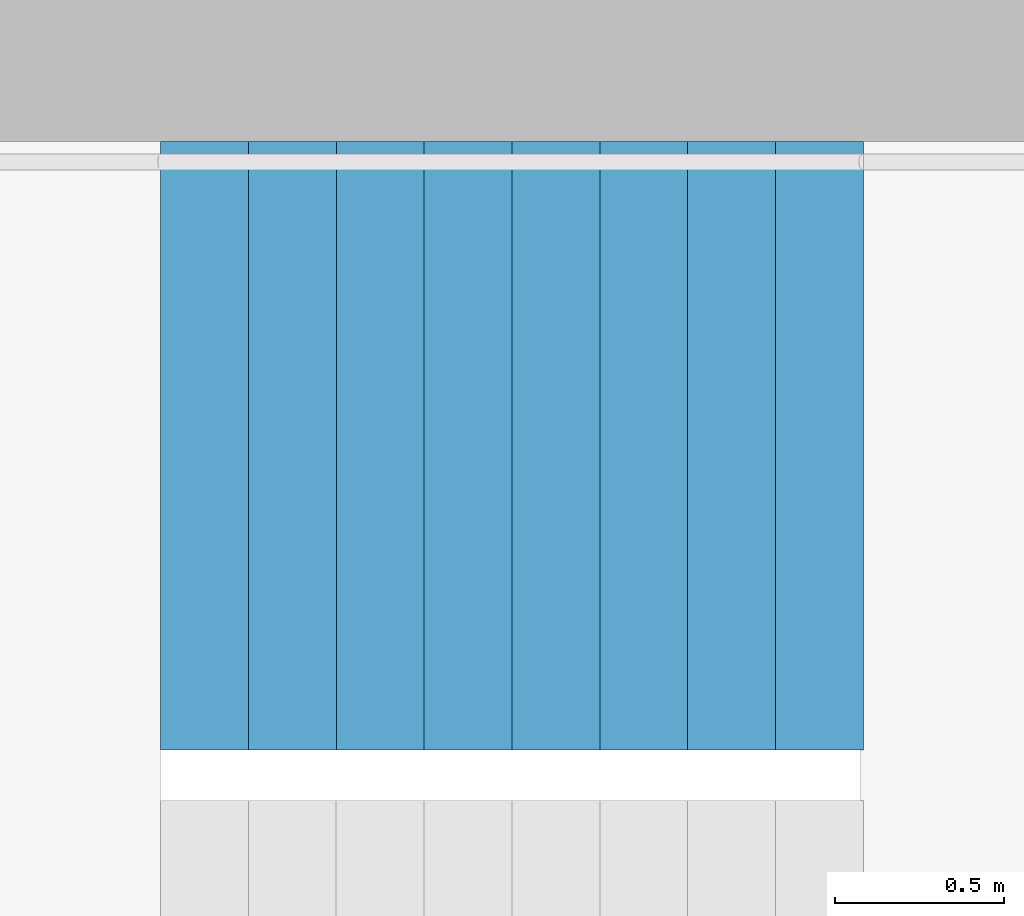
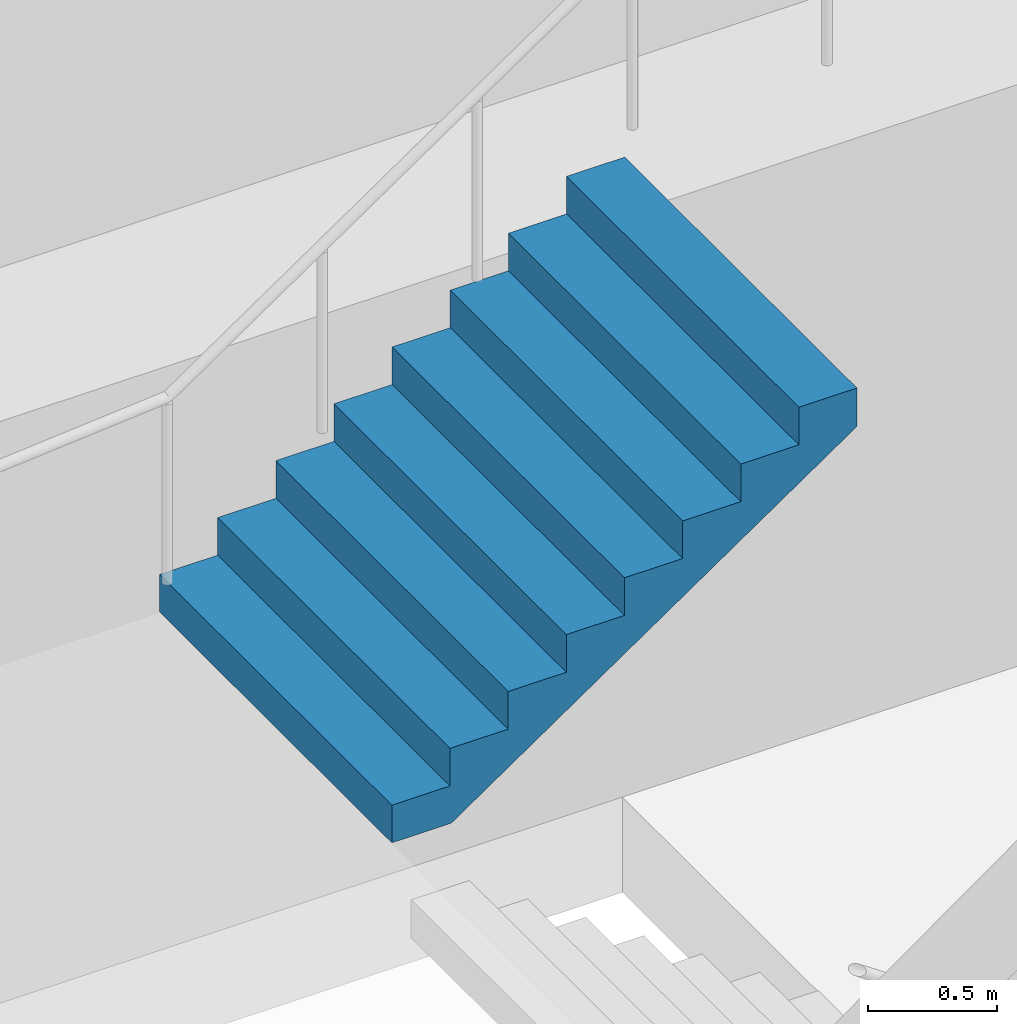
# One storey, part 26 of 27: 1 stair flight, 1 element without a shape of its own.
"""IFC4 building model written with IfcOpenShell, lengths in metres."""

from ifc_helpers import new_model, si_unit, direction, frame, origin, place, context, subcontext, project, spatial, triangles, material, type_object, element, aggregate, save


model = new_model("IFC4")

# Units and contexts
model_context = context("Model", 3, precision=1e-05, world=origin(), true_north=direction((0.0, 1.0)))
body_context = subcontext(model_context, "Body", "Model", "MODEL_VIEW")
ifc_project = project(units=[si_unit("LENGTHUNIT", "METRE"), si_unit("AREAUNIT", "SQUARE_METRE"), si_unit("VOLUMEUNIT", "CUBIC_METRE"), si_unit("PLANEANGLEUNIT", "RADIAN"), si_unit("MASSUNIT", "GRAM", prefix="KILO")], contexts=[model_context])

# Site, building, storey
site_placement = place(None, origin())
site = spatial("IfcSite", under=ifc_project, at=site_placement, CompositionType="ELEMENT")
building_placement = place(site_placement, origin())
building = spatial("IfcBuilding", under=site, at=building_placement, Name="Hakoniwa Tower and Hamabe Station Hall", CompositionType="ELEMENT")
storey_placement = place(building_placement, frame((0.0, 0.0, 248.60009765625)))
storey = spatial("IfcBuildingStorey", under=building, at=storey_placement, Name="L70", CompositionType="ELEMENT", Elevation=248.60009765625)

# Stair, stair flight
ifc_material_1 = material(Name="Concrete C40", Category="concrete")
stair_type = type_object("IfcStairType", Name="ESCAPE STAIR 1800", PredefinedType="HALF_TURN_STAIR", material=ifc_material_1)
stair_placement = place(storey_placement, origin())
stair = element("IfcStair", 1, at=stair_placement, inside=storey, type_object=stair_type, Name="Escape stair ST-3 L70", PredefinedType="HALF_TURN_STAIR")
ifc_material_2 = material(Name="Concrete C40", Category="concrete")
stair_flight_type = type_object("IfcStairFlightType", Name="STAIR FLIGHT 1800", PredefinedType="STRAIGHT", material=ifc_material_2)
stair_flight_placement = place(storey_placement, frame((22.320068359375, 6.60009765625, 1.599853515625), z_axis=(0.0, 0.0, 1.0), x_axis=(1.0, 0.0, 0.0)))
stair_flight = element("IfcStairFlight", 2, at=stair_flight_placement, type_object=stair_flight_type, Name="ST-3 flight 2", NumberOfRisers=9, NumberOfTreads=8, PredefinedType="STRAIGHT", RiserHeight=0.177777778, TreadLength=0.26, context=body_context, shape_type="Tessellation", body=[
    triangles([(0.0, 0.89990234375, 0.0), (0.260009765625, 0.89990234375, 0.0), (0.265625, 0.89990234375, 0.0), (0.52001953125, 0.89990234375, 0.174072265625), (0.780029296875, 0.89990234375, 0.351806640625), (1.0400390625, 0.89990234375, 0.529541015625), (1.300048828125, 0.89990234375, 0.707275390625), (1.56005859375, 0.89990234375, 0.885009765625), (1.820068359375, 0.89990234375, 1.062744140625), (2.080078125, 0.89990234375, 1.24072265625), (2.080078125, 0.89990234375, 1.422119140625), (1.820068359375, 0.89990234375, 1.422119140625), (1.820068359375, 0.89990234375, 1.244384765625), (1.56005859375, 0.89990234375, 1.244384765625), (1.56005859375, 0.89990234375, 1.066650390625), (1.300048828125, 0.89990234375, 1.066650390625), (1.300048828125, 0.89990234375, 0.888916015625), (1.0400390625, 0.89990234375, 0.888916015625), (1.0400390625, 0.89990234375, 0.711181640625), (0.780029296875, 0.89990234375, 0.711181640625), (0.780029296875, 0.89990234375, 0.533447265625), (0.52001953125, 0.89990234375, 0.533447265625), (0.52001953125, 0.89990234375, 0.35546875), (0.265625, 0.89990234375, 0.35546875), (0.260009765625, 0.89990234375, 0.35546875), (0.260009765625, 0.89990234375, 0.177734375), (0.0, 0.89990234375, 0.177734375), (0.0, 0.06005859375, 0.0), (0.260009765625, 0.06005859375, 0.0), (0.265625, 0.06005859375, 0.0), (0.52001953125, 0.06005859375, 0.174072265625), (0.780029296875, 0.06005859375, 0.351806640625), (1.0400390625, 0.06005859375, 0.529541015625), (1.300048828125, 0.06005859375, 0.707275390625), (1.56005859375, 0.06005859375, 0.885009765625), (1.820068359375, 0.06005859375, 1.062744140625), (2.080078125, 0.06005859375, 1.24072265625), (2.080078125, 0.06005859375, 1.422119140625), (1.820068359375, 0.06005859375, 1.422119140625), (1.820068359375, 0.06005859375, 1.244384765625), (1.56005859375, 0.06005859375, 1.244384765625), (1.56005859375, 0.06005859375, 1.066650390625), (1.300048828125, 0.06005859375, 1.066650390625), (1.300048828125, 0.06005859375, 0.888916015625), (1.0400390625, 0.06005859375, 0.888916015625), (1.0400390625, 0.06005859375, 0.711181640625), (0.780029296875, 0.06005859375, 0.711181640625), (0.780029296875, 0.06005859375, 0.533447265625), (0.52001953125, 0.06005859375, 0.533447265625), (0.52001953125, 0.06005859375, 0.35546875), (0.265625, 0.06005859375, 0.35546875), (0.260009765625, 0.06005859375, 0.35546875), (0.260009765625, 0.06005859375, 0.177734375), (0.0, 0.06005859375, 0.177734375), (0.0, 0.04296875, 0.0), (0.260009765625, 0.04296875, 0.0), (0.265625, 0.04296875, 0.0), (0.52001953125, 0.04296875, 0.174072265625), (0.780029296875, 0.04296875, 0.351806640625), (1.0400390625, 0.04296875, 0.529541015625), (1.300048828125, 0.04296875, 0.707275390625), (1.56005859375, 0.04296875, 0.885009765625), (1.820068359375, 0.04296875, 1.062744140625), (2.080078125, 0.04296875, 1.24072265625), (2.080078125, 0.04296875, 1.422119140625), (1.820068359375, 0.04296875, 1.422119140625), (1.820068359375, 0.04296875, 1.244384765625), (1.56005859375, 0.04296875, 1.244384765625), (1.56005859375, 0.04296875, 1.066650390625), (1.300048828125, 0.04296875, 1.066650390625), (1.300048828125, 0.04296875, 0.888916015625), (1.0400390625, 0.04296875, 0.888916015625), (1.0400390625, 0.04296875, 0.711181640625), (0.780029296875, 0.04296875, 0.711181640625), (0.780029296875, 0.04296875, 0.533447265625), (0.52001953125, 0.04296875, 0.533447265625), (0.52001953125, 0.04296875, 0.35546875), (0.265625, 0.04296875, 0.35546875), (0.260009765625, 0.04296875, 0.35546875), (0.260009765625, 0.04296875, 0.177734375), (0.0, 0.04296875, 0.177734375), (0.0, 0.025634765625, 0.0), (0.260009765625, 0.025634765625, 0.0), (0.265625, 0.025634765625, 0.0), (0.52001953125, 0.025634765625, 0.174072265625), (0.780029296875, 0.025634765625, 0.351806640625), (1.0400390625, 0.025634765625, 0.529541015625), (1.300048828125, 0.025634765625, 0.707275390625), (1.56005859375, 0.025634765625, 0.885009765625), (1.820068359375, 0.025634765625, 1.062744140625), (2.080078125, 0.025634765625, 1.24072265625), (2.080078125, 0.025634765625, 1.422119140625), (1.820068359375, 0.025634765625, 1.422119140625), (1.820068359375, 0.025634765625, 1.244384765625), (1.56005859375, 0.025634765625, 1.244384765625), (1.56005859375, 0.025634765625, 1.066650390625), (1.300048828125, 0.025634765625, 1.066650390625), (1.300048828125, 0.025634765625, 0.888916015625), (1.0400390625, 0.025634765625, 0.888916015625), (1.0400390625, 0.025634765625, 0.711181640625), (0.780029296875, 0.025634765625, 0.711181640625), (0.780029296875, 0.025634765625, 0.533447265625), (0.52001953125, 0.025634765625, 0.533447265625), (0.52001953125, 0.025634765625, 0.35546875), (0.265625, 0.025634765625, 0.35546875), (0.260009765625, 0.025634765625, 0.35546875), (0.260009765625, 0.025634765625, 0.177734375), (0.0, 0.025634765625, 0.177734375), (0.0, 0.008544921875, 0.0), (0.260009765625, 0.008544921875, 0.0), (0.265625, 0.008544921875, 0.0), (0.52001953125, 0.008544921875, 0.174072265625), (0.780029296875, 0.008544921875, 0.351806640625), (1.0400390625, 0.008544921875, 0.529541015625), (1.300048828125, 0.008544921875, 0.707275390625), (1.56005859375, 0.008544921875, 0.885009765625), (1.820068359375, 0.008544921875, 1.062744140625), (2.080078125, 0.008544921875, 1.24072265625), (2.080078125, 0.008544921875, 1.422119140625), (1.820068359375, 0.008544921875, 1.422119140625), (1.820068359375, 0.008544921875, 1.244384765625), (1.56005859375, 0.008544921875, 1.244384765625), (1.56005859375, 0.008544921875, 1.066650390625), (1.300048828125, 0.008544921875, 1.066650390625), (1.300048828125, 0.008544921875, 0.888916015625), (1.0400390625, 0.008544921875, 0.888916015625), (1.0400390625, 0.008544921875, 0.711181640625), (0.780029296875, 0.008544921875, 0.711181640625), (0.780029296875, 0.008544921875, 0.533447265625), (0.52001953125, 0.008544921875, 0.533447265625), (0.52001953125, 0.008544921875, 0.35546875), (0.265625, 0.008544921875, 0.35546875), (0.260009765625, 0.008544921875, 0.35546875), (0.260009765625, 0.008544921875, 0.177734375), (0.0, 0.008544921875, 0.177734375), (0.0, -0.008544921875, 0.0), (0.260009765625, -0.008544921875, 0.0), (0.265625, -0.008544921875, 0.0), (0.52001953125, -0.008544921875, 0.174072265625), (0.780029296875, -0.008544921875, 0.351806640625), (1.0400390625, -0.008544921875, 0.529541015625), (1.300048828125, -0.008544921875, 0.707275390625), (1.56005859375, -0.008544921875, 0.885009765625), (1.820068359375, -0.008544921875, 1.062744140625), (2.080078125, -0.008544921875, 1.24072265625), (2.080078125, -0.008544921875, 1.422119140625), (1.820068359375, -0.008544921875, 1.422119140625), (1.820068359375, -0.008544921875, 1.244384765625), (1.56005859375, -0.008544921875, 1.244384765625), (1.56005859375, -0.008544921875, 1.066650390625), (1.300048828125, -0.008544921875, 1.066650390625), (1.300048828125, -0.008544921875, 0.888916015625), (1.0400390625, -0.008544921875, 0.888916015625), (1.0400390625, -0.008544921875, 0.711181640625), (0.780029296875, -0.008544921875, 0.711181640625), (0.780029296875, -0.008544921875, 0.533447265625), (0.52001953125, -0.008544921875, 0.533447265625), (0.52001953125, -0.008544921875, 0.35546875), (0.265625, -0.008544921875, 0.35546875), (0.260009765625, -0.008544921875, 0.35546875), (0.260009765625, -0.008544921875, 0.177734375), (0.0, -0.008544921875, 0.177734375), (0.0, -0.025634765625, 0.0), (0.260009765625, -0.025634765625, 0.0), (0.265625, -0.025634765625, 0.0), (0.52001953125, -0.025634765625, 0.174072265625), (0.780029296875, -0.025634765625, 0.351806640625), (1.0400390625, -0.025634765625, 0.529541015625), (1.300048828125, -0.025634765625, 0.707275390625), (1.56005859375, -0.025634765625, 0.885009765625), (1.820068359375, -0.025634765625, 1.062744140625), (2.080078125, -0.025634765625, 1.24072265625), (2.080078125, -0.025634765625, 1.422119140625), (1.820068359375, -0.025634765625, 1.422119140625), (1.820068359375, -0.025634765625, 1.244384765625), (1.56005859375, -0.025634765625, 1.244384765625), (1.56005859375, -0.025634765625, 1.066650390625), (1.300048828125, -0.025634765625, 1.066650390625), (1.300048828125, -0.025634765625, 0.888916015625), (1.0400390625, -0.025634765625, 0.888916015625), (1.0400390625, -0.025634765625, 0.711181640625), (0.780029296875, -0.025634765625, 0.711181640625), (0.780029296875, -0.025634765625, 0.533447265625), (0.52001953125, -0.025634765625, 0.533447265625), (0.52001953125, -0.025634765625, 0.35546875), (0.265625, -0.025634765625, 0.35546875), (0.260009765625, -0.025634765625, 0.35546875), (0.260009765625, -0.025634765625, 0.177734375), (0.0, -0.025634765625, 0.177734375), (0.0, -0.04296875, 0.0), (0.260009765625, -0.04296875, 0.0), (0.265625, -0.04296875, 0.0), (0.52001953125, -0.04296875, 0.174072265625), (0.780029296875, -0.04296875, 0.351806640625), (1.0400390625, -0.04296875, 0.529541015625), (1.300048828125, -0.04296875, 0.707275390625), (1.56005859375, -0.04296875, 0.885009765625), (1.820068359375, -0.04296875, 1.062744140625), (2.080078125, -0.04296875, 1.24072265625), (2.080078125, -0.04296875, 1.422119140625), (1.820068359375, -0.04296875, 1.422119140625), (1.820068359375, -0.04296875, 1.244384765625), (1.56005859375, -0.04296875, 1.244384765625), (1.56005859375, -0.04296875, 1.066650390625), (1.300048828125, -0.04296875, 1.066650390625), (1.300048828125, -0.04296875, 0.888916015625), (1.0400390625, -0.04296875, 0.888916015625), (1.0400390625, -0.04296875, 0.711181640625), (0.780029296875, -0.04296875, 0.711181640625), (0.780029296875, -0.04296875, 0.533447265625), (0.52001953125, -0.04296875, 0.533447265625), (0.52001953125, -0.04296875, 0.35546875), (0.265625, -0.04296875, 0.35546875), (0.260009765625, -0.04296875, 0.35546875), (0.260009765625, -0.04296875, 0.177734375), (0.0, -0.04296875, 0.177734375), (0.0, -0.06005859375, 0.0), (0.260009765625, -0.06005859375, 0.0), (0.265625, -0.06005859375, 0.0), (0.52001953125, -0.06005859375, 0.174072265625), (0.780029296875, -0.06005859375, 0.351806640625), (1.0400390625, -0.06005859375, 0.529541015625), (1.300048828125, -0.06005859375, 0.707275390625), (1.56005859375, -0.06005859375, 0.885009765625), (1.820068359375, -0.06005859375, 1.062744140625), (2.080078125, -0.06005859375, 1.24072265625), (2.080078125, -0.06005859375, 1.422119140625), (1.820068359375, -0.06005859375, 1.422119140625), (1.820068359375, -0.06005859375, 1.244384765625), (1.56005859375, -0.06005859375, 1.244384765625), (1.56005859375, -0.06005859375, 1.066650390625), (1.300048828125, -0.06005859375, 1.066650390625), (1.300048828125, -0.06005859375, 0.888916015625), (1.0400390625, -0.06005859375, 0.888916015625), (1.0400390625, -0.06005859375, 0.711181640625), (0.780029296875, -0.06005859375, 0.711181640625), (0.780029296875, -0.06005859375, 0.533447265625), (0.52001953125, -0.06005859375, 0.533447265625), (0.52001953125, -0.06005859375, 0.35546875), (0.265625, -0.06005859375, 0.35546875), (0.260009765625, -0.06005859375, 0.35546875), (0.260009765625, -0.06005859375, 0.177734375), (0.0, -0.06005859375, 0.177734375), (0.0, -0.89990234375, 0.0), (0.260009765625, -0.89990234375, 0.0), (0.265625, -0.89990234375, 0.0), (0.52001953125, -0.89990234375, 0.174072265625), (0.780029296875, -0.89990234375, 0.351806640625), (1.0400390625, -0.89990234375, 0.529541015625), (1.300048828125, -0.89990234375, 0.707275390625), (1.56005859375, -0.89990234375, 0.885009765625), (1.820068359375, -0.89990234375, 1.062744140625), (2.080078125, -0.89990234375, 1.24072265625), (2.080078125, -0.89990234375, 1.422119140625), (1.820068359375, -0.89990234375, 1.422119140625), (1.820068359375, -0.89990234375, 1.244384765625), (1.56005859375, -0.89990234375, 1.244384765625), (1.56005859375, -0.89990234375, 1.066650390625), (1.300048828125, -0.89990234375, 1.066650390625), (1.300048828125, -0.89990234375, 0.888916015625), (1.0400390625, -0.89990234375, 0.888916015625), (1.0400390625, -0.89990234375, 0.711181640625), (0.780029296875, -0.89990234375, 0.711181640625), (0.780029296875, -0.89990234375, 0.533447265625), (0.52001953125, -0.89990234375, 0.533447265625), (0.52001953125, -0.89990234375, 0.35546875), (0.265625, -0.89990234375, 0.35546875), (0.260009765625, -0.89990234375, 0.35546875), (0.260009765625, -0.89990234375, 0.177734375), (0.0, -0.89990234375, 0.177734375)], [[2, 27, 26], [245, 269, 270], [2, 1, 27], [245, 270, 244], [3, 25, 24], [246, 267, 268], [3, 26, 25], [246, 268, 269], [3, 2, 26], [246, 269, 245], [4, 24, 23], [247, 266, 267], [4, 3, 24], [247, 267, 246], [5, 22, 21], [248, 264, 265], [5, 23, 22], [248, 265, 266], [5, 4, 23], [248, 266, 247], [6, 20, 19], [249, 262, 263], [6, 21, 20], [249, 263, 264], [6, 5, 21], [249, 264, 248], [7, 18, 17], [250, 260, 261], [7, 19, 18], [250, 261, 262], [7, 6, 19], [250, 262, 249], [8, 16, 15], [251, 258, 259], [8, 17, 16], [251, 259, 260], [8, 7, 17], [251, 260, 250], [9, 14, 13], [252, 256, 257], [9, 15, 14], [252, 257, 258], [9, 8, 15], [252, 258, 251], [10, 12, 11], [253, 254, 255], [10, 13, 12], [253, 255, 256], [10, 9, 13], [253, 256, 252], [1, 2, 29], [1, 29, 28], [28, 29, 56], [28, 56, 55], [55, 56, 83], [55, 83, 82], [82, 83, 110], [82, 110, 109], [109, 110, 137], [109, 137, 136], [136, 137, 164], [136, 164, 163], [163, 164, 191], [163, 191, 190], [190, 191, 218], [190, 218, 217], [217, 218, 245], [217, 245, 244], [2, 3, 30], [2, 30, 29], [29, 30, 57], [29, 57, 56], [56, 57, 84], [56, 84, 83], [83, 84, 111], [83, 111, 110], [110, 111, 138], [110, 138, 137], [137, 138, 165], [137, 165, 164], [164, 165, 192], [164, 192, 191], [191, 192, 219], [191, 219, 218], [218, 219, 246], [218, 246, 245], [3, 4, 31], [3, 31, 30], [30, 31, 58], [30, 58, 57], [57, 58, 85], [57, 85, 84], [84, 85, 112], [84, 112, 111], [111, 112, 139], [111, 139, 138], [138, 139, 166], [138, 166, 165], [165, 166, 193], [165, 193, 192], [192, 193, 220], [192, 220, 219], [219, 220, 247], [219, 247, 246], [4, 5, 32], [4, 32, 31], [31, 32, 59], [31, 59, 58], [58, 59, 86], [58, 86, 85], [85, 86, 113], [85, 113, 112], [112, 113, 140], [112, 140, 139], [139, 140, 167], [139, 167, 166], [166, 167, 194], [166, 194, 193], [193, 194, 221], [193, 221, 220], [220, 221, 248], [220, 248, 247], [5, 6, 33], [5, 33, 32], [32, 33, 60], [32, 60, 59], [59, 60, 87], [59, 87, 86], [86, 87, 114], [86, 114, 113], [113, 114, 141], [113, 141, 140], [140, 141, 168], [140, 168, 167], [167, 168, 195], [167, 195, 194], [194, 195, 222], [194, 222, 221], [221, 222, 249], [221, 249, 248], [6, 7, 34], [6, 34, 33], [33, 34, 61], [33, 61, 60], [60, 61, 88], [60, 88, 87], [87, 88, 115], [87, 115, 114], [114, 115, 142], [114, 142, 141], [141, 142, 169], [141, 169, 168], [168, 169, 196], [168, 196, 195], [195, 196, 223], [195, 223, 222], [222, 223, 250], [222, 250, 249], [7, 8, 35], [7, 35, 34], [34, 35, 62], [34, 62, 61], [61, 62, 89], [61, 89, 88], [88, 89, 116], [88, 116, 115], [115, 116, 143], [115, 143, 142], [142, 143, 170], [142, 170, 169], [169, 170, 197], [169, 197, 196], [196, 197, 224], [196, 224, 223], [223, 224, 251], [223, 251, 250], [8, 9, 36], [8, 36, 35], [35, 36, 63], [35, 63, 62], [62, 63, 90], [62, 90, 89], [89, 90, 117], [89, 117, 116], [116, 117, 144], [116, 144, 143], [143, 144, 171], [143, 171, 170], [170, 171, 198], [170, 198, 197], [197, 198, 225], [197, 225, 224], [224, 225, 252], [224, 252, 251], [9, 10, 37], [9, 37, 36], [36, 37, 64], [36, 64, 63], [63, 64, 91], [63, 91, 90], [90, 91, 118], [90, 118, 117], [117, 118, 145], [117, 145, 144], [144, 145, 172], [144, 172, 171], [171, 172, 199], [171, 199, 198], [198, 199, 226], [198, 226, 225], [225, 226, 253], [225, 253, 252], [10, 11, 38], [10, 38, 37], [37, 38, 65], [37, 65, 64], [64, 65, 92], [64, 92, 91], [91, 92, 119], [91, 119, 118], [118, 119, 146], [118, 146, 145], [145, 146, 173], [145, 173, 172], [172, 173, 200], [172, 200, 199], [199, 200, 227], [199, 227, 226], [226, 227, 254], [226, 254, 253], [11, 12, 39], [11, 39, 38], [38, 39, 66], [38, 66, 65], [65, 66, 93], [65, 93, 92], [92, 93, 120], [92, 120, 119], [119, 120, 147], [119, 147, 146], [146, 147, 174], [146, 174, 173], [173, 174, 201], [173, 201, 200], [200, 201, 228], [200, 228, 227], [227, 228, 255], [227, 255, 254], [12, 13, 40], [12, 40, 39], [39, 40, 67], [39, 67, 66], [66, 67, 94], [66, 94, 93], [93, 94, 121], [93, 121, 120], [120, 121, 148], [120, 148, 147], [147, 148, 175], [147, 175, 174], [174, 175, 202], [174, 202, 201], [201, 202, 229], [201, 229, 228], [228, 229, 256], [228, 256, 255], [13, 14, 41], [13, 41, 40], [40, 41, 68], [40, 68, 67], [67, 68, 95], [67, 95, 94], [94, 95, 122], [94, 122, 121], [121, 122, 149], [121, 149, 148], [148, 149, 176], [148, 176, 175], [175, 176, 203], [175, 203, 202], [202, 203, 230], [202, 230, 229], [229, 230, 257], [229, 257, 256], [14, 15, 42], [14, 42, 41], [41, 42, 69], [41, 69, 68], [68, 69, 96], [68, 96, 95], [95, 96, 123], [95, 123, 122], [122, 123, 150], [122, 150, 149], [149, 150, 177], [149, 177, 176], [176, 177, 204], [176, 204, 203], [203, 204, 231], [203, 231, 230], [230, 231, 258], [230, 258, 257], [15, 16, 43], [15, 43, 42], [42, 43, 70], [42, 70, 69], [69, 70, 97], [69, 97, 96], [96, 97, 124], [96, 124, 123], [123, 124, 151], [123, 151, 150], [150, 151, 178], [150, 178, 177], [177, 178, 205], [177, 205, 204], [204, 205, 232], [204, 232, 231], [231, 232, 259], [231, 259, 258], [16, 17, 44], [16, 44, 43], [43, 44, 71], [43, 71, 70], [70, 71, 98], [70, 98, 97], [97, 98, 125], [97, 125, 124], [124, 125, 152], [124, 152, 151], [151, 152, 179], [151, 179, 178], [178, 179, 206], [178, 206, 205], [205, 206, 233], [205, 233, 232], [232, 233, 260], [232, 260, 259], [17, 18, 45], [17, 45, 44], [44, 45, 72], [44, 72, 71], [71, 72, 99], [71, 99, 98], [98, 99, 126], [98, 126, 125], [125, 126, 153], [125, 153, 152], [152, 153, 180], [152, 180, 179], [179, 180, 207], [179, 207, 206], [206, 207, 234], [206, 234, 233], [233, 234, 261], [233, 261, 260], [18, 19, 46], [18, 46, 45], [45, 46, 73], [45, 73, 72], [72, 73, 100], [72, 100, 99], [99, 100, 127], [99, 127, 126], [126, 127, 154], [126, 154, 153], [153, 154, 181], [153, 181, 180], [180, 181, 208], [180, 208, 207], [207, 208, 235], [207, 235, 234], [234, 235, 262], [234, 262, 261], [19, 20, 47], [19, 47, 46], [46, 47, 74], [46, 74, 73], [73, 74, 101], [73, 101, 100], [100, 101, 128], [100, 128, 127], [127, 128, 155], [127, 155, 154], [154, 155, 182], [154, 182, 181], [181, 182, 209], [181, 209, 208], [208, 209, 236], [208, 236, 235], [235, 236, 263], [235, 263, 262], [20, 21, 48], [20, 48, 47], [47, 48, 75], [47, 75, 74], [74, 75, 102], [74, 102, 101], [101, 102, 129], [101, 129, 128], [128, 129, 156], [128, 156, 155], [155, 156, 183], [155, 183, 182], [182, 183, 210], [182, 210, 209], [209, 210, 237], [209, 237, 236], [236, 237, 264], [236, 264, 263], [21, 22, 49], [21, 49, 48], [48, 49, 76], [48, 76, 75], [75, 76, 103], [75, 103, 102], [102, 103, 130], [102, 130, 129], [129, 130, 157], [129, 157, 156], [156, 157, 184], [156, 184, 183], [183, 184, 211], [183, 211, 210], [210, 211, 238], [210, 238, 237], [237, 238, 265], [237, 265, 264], [22, 23, 50], [22, 50, 49], [49, 50, 77], [49, 77, 76], [76, 77, 104], [76, 104, 103], [103, 104, 131], [103, 131, 130], [130, 131, 158], [130, 158, 157], [157, 158, 185], [157, 185, 184], [184, 185, 212], [184, 212, 211], [211, 212, 239], [211, 239, 238], [238, 239, 266], [238, 266, 265], [23, 24, 51], [23, 51, 50], [50, 51, 78], [50, 78, 77], [77, 78, 105], [77, 105, 104], [104, 105, 132], [104, 132, 131], [131, 132, 159], [131, 159, 158], [158, 159, 186], [158, 186, 185], [185, 186, 213], [185, 213, 212], [212, 213, 240], [212, 240, 239], [239, 240, 267], [239, 267, 266], [24, 25, 52], [24, 52, 51], [51, 52, 79], [51, 79, 78], [78, 79, 106], [78, 106, 105], [105, 106, 133], [105, 133, 132], [132, 133, 160], [132, 160, 159], [159, 160, 187], [159, 187, 186], [186, 187, 214], [186, 214, 213], [213, 214, 241], [213, 241, 240], [240, 241, 268], [240, 268, 267], [25, 26, 53], [25, 53, 52], [52, 53, 80], [52, 80, 79], [79, 80, 107], [79, 107, 106], [106, 107, 134], [106, 134, 133], [133, 134, 161], [133, 161, 160], [160, 161, 188], [160, 188, 187], [187, 188, 215], [187, 215, 214], [214, 215, 242], [214, 242, 241], [241, 242, 269], [241, 269, 268], [26, 27, 54], [26, 54, 53], [53, 54, 81], [53, 81, 80], [80, 81, 108], [80, 108, 107], [107, 108, 135], [107, 135, 134], [134, 135, 162], [134, 162, 161], [161, 162, 189], [161, 189, 188], [188, 189, 216], [188, 216, 215], [215, 216, 243], [215, 243, 242], [242, 243, 270], [242, 270, 269], [27, 1, 28], [27, 28, 54], [54, 28, 55], [54, 55, 81], [81, 55, 82], [81, 82, 108], [108, 82, 109], [108, 109, 135], [135, 109, 136], [135, 136, 162], [162, 136, 163], [162, 163, 189], [189, 163, 190], [189, 190, 216], [216, 190, 217], [216, 217, 243], [243, 217, 244], [243, 244, 270]], closed=True),
])
aggregate(stair, [stair_flight])

save(model, "model.ifc")
